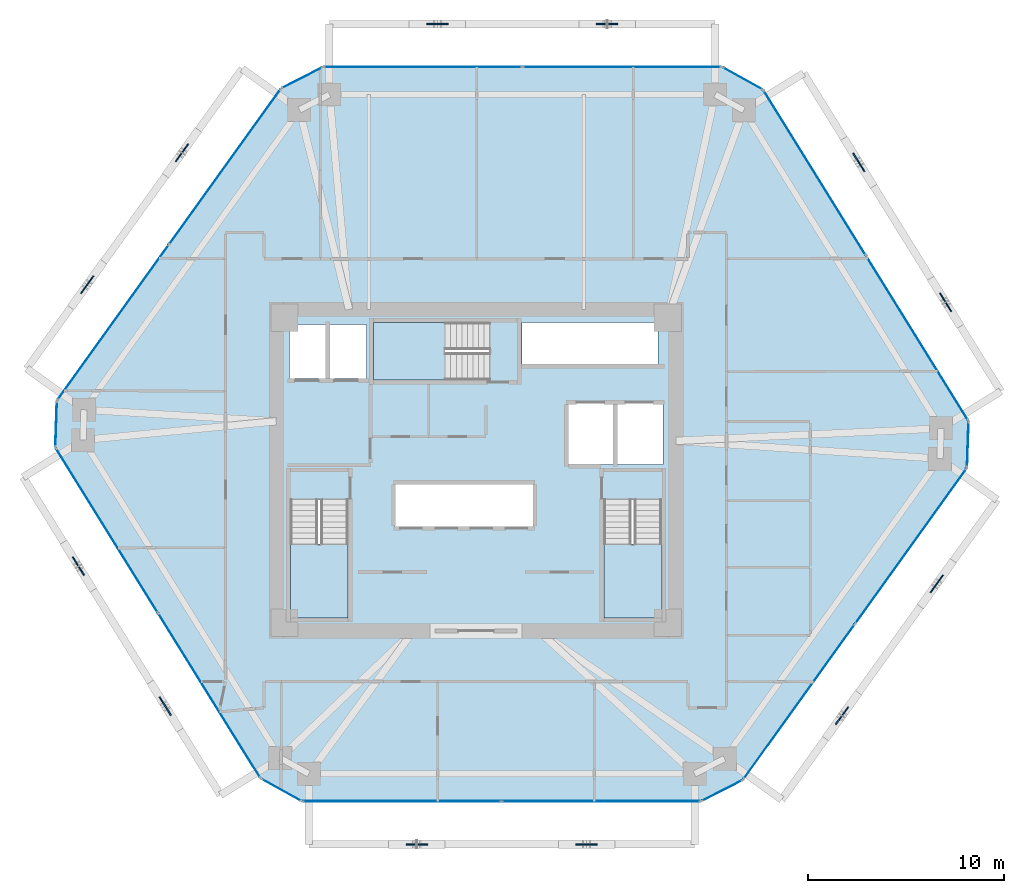
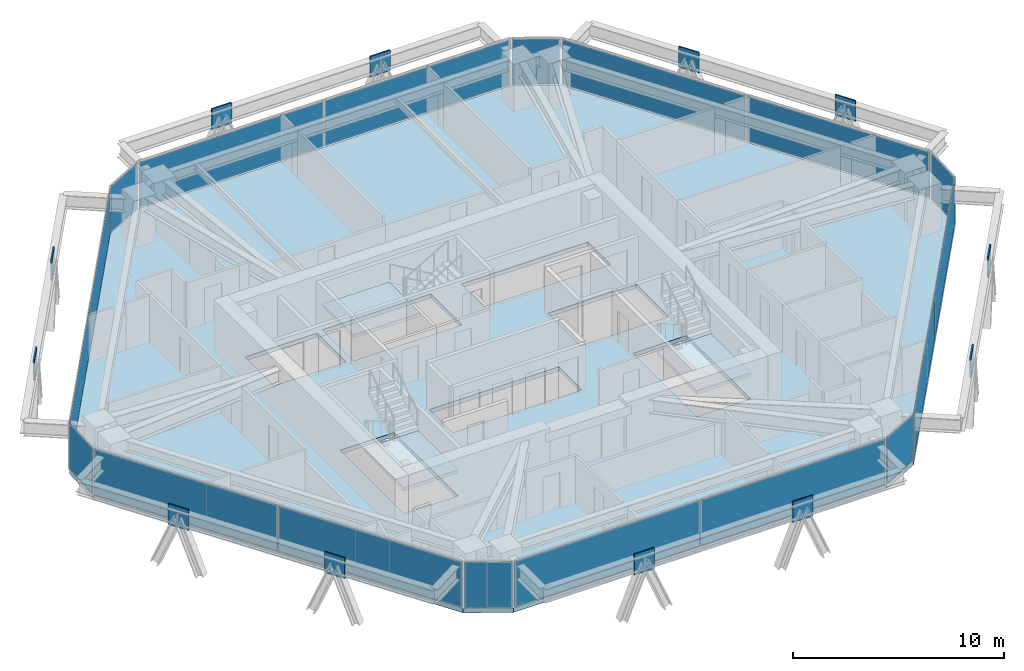
# One storey, part 9 of 17: 30 plates, 4 slabs, 15 elements without a shape of their own.
"""IFC4 building model written with IfcOpenShell, lengths in metres."""

from ifc_helpers import new_model, si_unit, direction, frame, origin, origin_2d, place, context, subcontext, project, spatial, polyline, rectangle, outline, extrude, source, transform, mapped, material, layer, layer_set, type_object, type_shapes, element, aggregate, save


model = new_model("IFC4")

# Units and contexts
model_context = context("Model", 3, precision=1e-05, world=origin(), true_north=direction((0.0, 1.0)))
body_context = subcontext(model_context, "Body", "Model", "MODEL_VIEW")
ifc_project = project(units=[si_unit("LENGTHUNIT", "METRE"), si_unit("AREAUNIT", "SQUARE_METRE"), si_unit("VOLUMEUNIT", "CUBIC_METRE"), si_unit("PLANEANGLEUNIT", "RADIAN"), si_unit("MASSUNIT", "GRAM", prefix="KILO")], contexts=[model_context])

# Site, building, storey
site_placement = place(None, origin())
site = spatial("IfcSite", under=ifc_project, at=site_placement, CompositionType="ELEMENT")
building_placement = place(site_placement, origin())
building = spatial("IfcBuilding", under=site, at=building_placement, Name="Durnholm Broadcast Tower", CompositionType="ELEMENT")
storey_placement = place(building_placement, frame((0.0, 0.0, 143.10009765625)))
storey = spatial("IfcBuildingStorey", under=building, at=storey_placement, Name="L39", CompositionType="ELEMENT", Elevation=143.10009765625)

# Slab
ifc_material_1 = material(Name="Concrete C50/60", Category="concrete")
ifc_layer_1 = layer(ifc_material_1, 0.239990234375)
ifc_layer_set_1 = layer_set([ifc_layer_1], Name="Concrete C50/60")
slab_type_1 = type_object("IfcSlabType", Name="SLAB-FLR-240", PredefinedType="FLOOR", material=ifc_layer_set_1)
slab_1_placement = place(storey_placement, frame((0.0, 0.0, -0.239990234375)))
element("IfcSlab", 1, at=slab_1_placement, inside=storey, type_object=slab_type_1, Name="L39 structural floor slab", PredefinedType="FLOOR", context=body_context, shape_type="SweptSolid", body=[
    extrude(outline(polyline([(-11.012451171875, -15.77001953125), (-8.915283203125, -16.93701171875), (11.51416015625, -16.93701171875), (13.649658203125, -15.841796875), (25.11279296875, 0.114990234375), (25.1943359375, 2.513671875), (14.6904296875, 19.447998046875), (12.59326171875, 20.614990234375), (-7.836181640625, 20.614990234375), (-9.9716796875, 19.519775390625), (-21.434814453125, 3.56298828125), (-21.516357421875, 1.164306640625), (-11.012451171875, -15.77001953125)]), holes=[polyline([(-6.5400390625, -1.5), (-9.5, -1.5), (-9.5, -7.550048828125), (-6.5400390625, -7.550048828125), (-6.5400390625, -1.5)]), polyline([(9.5, -7.550048828125), (9.5, -1.5), (6.5400390625, -1.5), (6.5400390625, -7.550048828125), (9.5, -7.550048828125)]), polyline([(2.949951171875, -0.699951171875), (-4.14990234375, -0.699951171875), (-4.14990234375, -2.89990234375), (2.949951171875, -2.89990234375), (2.949951171875, -0.699951171875)]), polyline([(9.550048828125, 3.39990234375), (4.699951171875, 3.39990234375), (4.699951171875, 0.300048828125), (9.550048828125, 0.300048828125), (9.550048828125, 3.39990234375)]), polyline([(-5.60009765625, 7.449951171875), (-9.550048828125, 7.449951171875), (-9.550048828125, 4.699951171875), (-5.60009765625, 4.699951171875), (-5.60009765625, 7.449951171875)]), polyline([(-5.25, 4.60009765625), (0.699951171875, 4.60009765625), (0.699951171875, 7.56005859375), (-5.25, 7.56005859375), (-5.25, 4.60009765625)]), polyline([(9.31005859375, 7.550048828125), (2.35009765625, 7.550048828125), (2.35009765625, 5.39990234375), (9.31005859375, 5.39990234375), (9.31005859375, 7.550048828125)])]), origin(), (0.0, 0.0, 1.0), 0.239990234375),
])

# Stair, slab
stair_type = type_object("IfcStairType", Name="STAIR-DL-18R1667", PredefinedType="HALF_TURN_STAIR", material=ifc_material_1)
stair_1_placement = place(storey_placement, origin())
stair_1 = element("IfcStair", 2, at=stair_1_placement, inside=storey, type_object=stair_type, Name="L39 ST-1", PredefinedType="HALF_TURN_STAIR")
ifc_layer_2 = layer(ifc_material_1, 0.199951171875)
ifc_layer_set_2 = layer_set([ifc_layer_2], Name="Concrete C50/60")
slab_type_2 = type_object("IfcSlabType", Name="SLAB-LND-200", PredefinedType="LANDING", material=ifc_layer_set_2)
slab_2_placement = place(storey_placement, frame((0.0, 0.0, 1.2998046875)))
slab_2 = element("IfcSlab", 3, at=slab_2_placement, type_object=slab_type_2, Name="ST-1 landing 1", PredefinedType="LANDING", context=body_context, shape_type="SweptSolid", body=[
    extrude(outline(polyline([(-9.5, -3.780029296875), (-9.5, -7.550048828125), (-6.5400390625, -7.550048828125), (-6.5400390625, -3.780029296875), (-9.5, -3.780029296875)])), origin(), (0.0, 0.0, 1.0), 0.2001953125),
])
aggregate(stair_1, [slab_2])

stair_2_placement = place(storey_placement, origin())
stair_2 = element("IfcStair", 4, at=stair_2_placement, inside=storey, type_object=stair_type, Name="L39 ST-2", PredefinedType="HALF_TURN_STAIR")
slab_3_placement = place(storey_placement, frame((0.0, 0.0, 1.2998046875)))
slab_3 = element("IfcSlab", 5, at=slab_3_placement, type_object=slab_type_2, Name="ST-2 landing 1", PredefinedType="LANDING", context=body_context, shape_type="SweptSolid", body=[
    extrude(outline(polyline([(6.5400390625, -3.780029296875), (6.5400390625, -7.550048828125), (9.5, -7.550048828125), (9.5, -3.780029296875), (6.5400390625, -3.780029296875)])), origin(), (0.0, 0.0, 1.0), 0.2001953125),
])
aggregate(stair_2, [slab_3])

stair_3_placement = place(storey_placement, origin())
stair_3 = element("IfcStair", 6, at=stair_3_placement, inside=storey, type_object=stair_type, Name="L39 ST-3", PredefinedType="HALF_TURN_STAIR")
slab_4_placement = place(storey_placement, frame((0.0, 0.0, 1.2998046875)))
slab_4 = element("IfcSlab", 7, at=slab_4_placement, type_object=slab_type_2, Name="ST-3 landing 1", PredefinedType="LANDING", context=body_context, shape_type="SweptSolid", body=[
    extrude(outline(polyline([(-1.580078125, 7.56005859375), (-5.25, 7.56005859375), (-5.25, 4.60009765625), (-1.580078125, 4.60009765625), (-1.580078125, 7.56005859375)])), origin(), (0.0, 0.0, 1.0), 0.2001953125),
])
aggregate(stair_3, [slab_4])

# Plates
ifc_material_2 = material(Name="Steel ASTM A572 Grade 50", Category="steel")
ifc_layer_3 = layer(ifc_material_2, 0.070068359375)
ifc_layer_set_3 = layer_set([ifc_layer_3], Name="Steel ASTM A572 Grade 50")
plate_type_1 = type_object("IfcPlateType", Name="PLT-KN05-GUS", PredefinedType="USERDEFINED", material=ifc_layer_set_3)
shared_shape_1 = source(origin(), body_context, "Body", "SweptSolid", [
    extrude(rectangle(XDim=1.10009765625, YDim=0.070068359375, at=origin_2d()), origin(), (0.0, 0.0, 1.0), 1.199951171875),
])
type_shapes(plate_type_1, [shared_shape_1])
for number, where, z_axis, x_axis, name in (
    (8, (-3.028076171875, -19.136962890625, 1.40869140625), (0.0, 0.0, 1.0), (1.0, 0.0, 0.0), "L39 welded diagrid node gusset plate KN05 F1"),
    (9, (5.65234375, -19.136962890625, 1.40869140625), (0.0, 0.0, 1.0), (1.0, 0.0, 0.0), "L39 welded diagrid node gusset plate KN05 F1"),
    (10, (18.71875, -12.556396484375, 1.40869140625), (0.0, 0.0, 1.0), (0.583399467156, 0.812185361677, 0.0), "L39 welded diagrid node gusset plate KN05 F2"),
    (11, (23.56689453125, -5.807861328125, 1.40869140625), (0.0, 0.0, 1.0), (0.583399467156, 0.812185361677, 0.0), "L39 welded diagrid node gusset plate KN05 F2"),
    (12, (24.01513671875, 8.58837890625, 1.40869140625), (0.0, 0.0, 1.0), (-0.527104121728, 0.849800708906, 0.0), "L39 welded diagrid node gusset plate KN05 F3"),
    (13, (19.576416015625, 15.74462890625, 1.40869140625), (0.0, 0.0, 1.0), (-0.527104121728, 0.849800708906, 0.0), "L39 welded diagrid node gusset plate KN05 F3"),
    (14, (6.7060546875, 22.81494140625, 1.40869140625), (0.0, 0.0, 1.0), (-1.0, 0.0, 0.0), "L39 welded diagrid node gusset plate KN05 F4"),
    (15, (-1.974365234375, 22.81494140625, 1.40869140625), (0.0, 0.0, 1.0), (-1.0, 0.0, 0.0), "L39 welded diagrid node gusset plate KN05 F4"),
    (16, (-15.040771484375, 16.234375, 1.40869140625), (0.0, 0.0, 1.0), (-0.583399467156, -0.812185361677, 0.0), "L39 welded diagrid node gusset plate KN05 F5"),
    (17, (-19.888916015625, 9.48583984375, 1.40869140625), (0.0, 0.0, 1.0), (-0.583399467156, -0.812185361677, 0.0), "L39 welded diagrid node gusset plate KN05 F5"),
    (18, (-20.337158203125, -4.910400390625, 1.40869140625), (0.0, 0.0, 1.0), (0.527104121728, -0.849800708906, 0.0), "L39 welded diagrid node gusset plate KN05 F6"),
    (19, (-15.898193359375, -12.066650390625, 1.40869140625), (0.0, 0.0, 1.0), (0.527104121728, -0.849800708906, 0.0), "L39 welded diagrid node gusset plate KN05 F6"),
):
    element("IfcPlate", number, at=place(storey_placement, frame(where, z_axis=z_axis, x_axis=x_axis)), inside=storey, type_object=plate_type_1, Name=name, ObjectType="GUSSET_PLATE", PredefinedType="USERDEFINED", context=body_context, shape_type="MappedRepresentation", body=[
        mapped(shared_shape_1, transform((0.0, 0.0, 0.0), x_axis=(1.0, 0.0, 0.0), y_axis=(0.0, 1.0, 0.0), z_axis=(0.0, 0.0, 1.0), scale=1.0)),
    ])

# Curtain wall, plate
ifc_material_3 = material(Name="Aluminium and Solar Control IGU", Category="aluminium")
ifc_layer_4 = layer(ifc_material_3, 0.1650390625)
ifc_layer_set_4 = layer_set([ifc_layer_4], Name="Aluminium and Solar Control IGU")
curtain_wall_type_1 = type_object("IfcCurtainWallType", Name="CW-SYS-5", PredefinedType="NOTDEFINED", material=ifc_layer_set_4)
curtain_wall_1_placement = place(storey_placement, origin())
curtain_wall_1 = element("IfcCurtainWall", 20, at=curtain_wall_1_placement, inside=storey, type_object=curtain_wall_type_1, Name="L39 curtain wall CW-CORNER CW-L39-CRN-01", PredefinedType="NOTDEFINED")
ifc_material_4 = material(Name="Low-E Laminated Insulating Glass", Category="glass")
ifc_layer_5 = layer(ifc_material_4, 0.030029296875)
ifc_layer_set_5 = layer_set([ifc_layer_5], Name="Low-E Laminated Insulating Glass")
plate_type_2 = type_object("IfcPlateType", Name="CW-SYS-5-PNL", PredefinedType="CURTAIN_PANEL", material=ifc_layer_set_5)
shared_shape_2 = source(origin(), body_context, "Body", "SweptSolid", [
    extrude(rectangle(XDim=2.27001953125, YDim=0.030029296875, at=origin_2d()), origin(), (0.0, 0.0, 1.0), 2.6298828125),
])
type_shapes(plate_type_2, [shared_shape_2])
plate_1_placement = place(storey_placement, frame((-21.4755859375, 2.36376953125, 0.06494140625), z_axis=(0.0, 0.0, 1.0), x_axis=(0.033916937775, 0.999424655155, 0.0)))
plate_1 = element("IfcPlate", 21, at=plate_1_placement, type_object=plate_type_2, Name="CW-CORNER panel 1.1", PredefinedType="CURTAIN_PANEL", context=body_context, shape_type="MappedRepresentation", body=[
    mapped(shared_shape_2, transform((0.0, 0.0, 0.0), x_axis=(1.0, 0.0, 0.0), y_axis=(0.0, 1.0, 0.0), z_axis=(0.0, 0.0, 1.0), scale=1.0)),
])
aggregate(curtain_wall_1, [plate_1])

curtain_wall_2_placement = place(storey_placement, origin())
curtain_wall_2 = element("IfcCurtainWall", 22, at=curtain_wall_2_placement, inside=storey, type_object=curtain_wall_type_1, Name="L39 curtain wall CW-CORNER CW-L39-CRN-03", PredefinedType="NOTDEFINED")
plate_2_placement = place(storey_placement, frame((-8.904052734375, 20.0673828125, 0.06494140625), z_axis=(0.0, 0.0, 1.0), x_axis=(0.889788396392, 0.45637332267, 0.0)))
plate_2 = element("IfcPlate", 23, at=plate_2_placement, type_object=plate_type_2, Name="CW-CORNER panel 1.1", PredefinedType="CURTAIN_PANEL", context=body_context, shape_type="MappedRepresentation", body=[
    mapped(shared_shape_2, transform((0.0, 0.0, 0.0), x_axis=(1.0, 0.0, 0.0), y_axis=(0.0, 1.0, 0.0), z_axis=(0.0, 0.0, 1.0), scale=1.0)),
])
aggregate(curtain_wall_2, [plate_2])

curtain_wall_3_placement = place(storey_placement, origin())
curtain_wall_3 = element("IfcCurtainWall", 24, at=curtain_wall_3_placement, inside=storey, type_object=curtain_wall_type_1, Name="L39 curtain wall CW-CORNER CW-L39-CRN-05", PredefinedType="NOTDEFINED")
plate_3_placement = place(storey_placement, frame((13.641845703125, 20.031494140625, 0.06494140625), z_axis=(0.0, 0.0, 1.0), x_axis=(0.873822953715, -0.486244224192, 0.0)))
plate_3 = element("IfcPlate", 25, at=plate_3_placement, type_object=plate_type_2, Name="CW-CORNER panel 1.1", PredefinedType="CURTAIN_PANEL", context=body_context, shape_type="MappedRepresentation", body=[
    mapped(shared_shape_2, transform((0.0, 0.0, 0.0), x_axis=(1.0, 0.0, 0.0), y_axis=(0.0, 1.0, 0.0), z_axis=(0.0, 0.0, 1.0), scale=1.0)),
])
aggregate(curtain_wall_3, [plate_3])

curtain_wall_4_placement = place(storey_placement, origin())
curtain_wall_4 = element("IfcCurtainWall", 26, at=curtain_wall_4_placement, inside=storey, type_object=curtain_wall_type_1, Name="L39 curtain wall CW-CORNER CW-L39-CRN-07", PredefinedType="NOTDEFINED")
plate_4_placement = place(storey_placement, frame((25.153564453125, 1.314208984375, 0.06494140625), z_axis=(0.0, 0.0, 1.0), x_axis=(-0.033916937775, -0.999424655155, 0.0)))
plate_4 = element("IfcPlate", 27, at=plate_4_placement, type_object=plate_type_2, Name="CW-CORNER panel 1.1", PredefinedType="CURTAIN_PANEL", context=body_context, shape_type="MappedRepresentation", body=[
    mapped(shared_shape_2, transform((0.0, 0.0, 0.0), x_axis=(1.0, 0.0, 0.0), y_axis=(0.0, 1.0, 0.0), z_axis=(0.0, 0.0, 1.0), scale=1.0)),
])
aggregate(curtain_wall_4, [plate_4])

curtain_wall_5_placement = place(storey_placement, origin())
curtain_wall_5 = element("IfcCurtainWall", 28, at=curtain_wall_5_placement, inside=storey, type_object=curtain_wall_type_1, Name="L39 curtain wall CW-CORNER CW-L39-CRN-09", PredefinedType="NOTDEFINED")
plate_5_placement = place(storey_placement, frame((12.58203125, -16.389404296875, 0.06494140625), z_axis=(0.0, 0.0, 1.0), x_axis=(-0.889788396392, -0.45637332267, 0.0)))
plate_5 = element("IfcPlate", 29, at=plate_5_placement, type_object=plate_type_2, Name="CW-CORNER panel 1.1", PredefinedType="CURTAIN_PANEL", context=body_context, shape_type="MappedRepresentation", body=[
    mapped(shared_shape_2, transform((0.0, 0.0, 0.0), x_axis=(1.0, 0.0, 0.0), y_axis=(0.0, 1.0, 0.0), z_axis=(0.0, 0.0, 1.0), scale=1.0)),
])
aggregate(curtain_wall_5, [plate_5])

curtain_wall_6_placement = place(storey_placement, origin())
curtain_wall_6 = element("IfcCurtainWall", 30, at=curtain_wall_6_placement, inside=storey, type_object=curtain_wall_type_1, Name="L39 curtain wall CW-CORNER CW-L39-CRN-11", PredefinedType="NOTDEFINED")
plate_6_placement = place(storey_placement, frame((-9.9638671875, -16.353515625, 0.06494140625), z_axis=(0.0, 0.0, 1.0), x_axis=(-0.873822953715, 0.486244224192, 0.0)))
plate_6 = element("IfcPlate", 31, at=plate_6_placement, type_object=plate_type_2, Name="CW-CORNER panel 1.1", PredefinedType="CURTAIN_PANEL", context=body_context, shape_type="MappedRepresentation", body=[
    mapped(shared_shape_2, transform((0.0, 0.0, 0.0), x_axis=(1.0, 0.0, 0.0), y_axis=(0.0, 1.0, 0.0), z_axis=(0.0, 0.0, 1.0), scale=1.0)),
])
aggregate(curtain_wall_6, [plate_6])

# Curtain wall, plates
ifc_layer_6 = layer(ifc_material_3, 0.18994140625)
ifc_layer_set_6 = layer_set([ifc_layer_6], Name="Aluminium and Solar Control IGU")
curtain_wall_type_2 = type_object("IfcCurtainWallType", Name="CW-SYS-3", PredefinedType="NOTDEFINED", material=ifc_layer_set_6)
curtain_wall_7_placement = place(storey_placement, origin())
curtain_wall_7 = element("IfcCurtainWall", 32, at=curtain_wall_7_placement, inside=storey, type_object=curtain_wall_type_2, Name="L39 curtain wall CW-Z12-VIS CW-L39-F02", PredefinedType="NOTDEFINED")
ifc_layer_7 = layer(ifc_material_4, 0.031982421875)
ifc_layer_set_7 = layer_set([ifc_layer_7], Name="Low-E Laminated Insulating Glass")
plate_type_3 = type_object("IfcPlateType", Name="CW-SYS-3-PNL", PredefinedType="CURTAIN_PANEL", material=ifc_layer_set_7)
shared_shape_3 = source(origin(), body_context, "Body", "SweptSolid", [
    extrude(rectangle(XDim=9.71875, YDim=0.031982421875, at=origin_2d()), origin(), (0.0, 0.0, 1.0), 2.6201171875),
])
plate_7_placement = place(storey_placement, frame((-18.558837890625, 7.56640625, 0.06982421875), z_axis=(0.0, 0.0, 1.0), x_axis=(0.583445473786, 0.812152312759, 0.0)))
plate_7 = element("IfcPlate", 33, at=plate_7_placement, type_object=plate_type_3, Name="CW-Z12-VIS panel 1.1", PredefinedType="CURTAIN_PANEL", context=body_context, shape_type="MappedRepresentation", body=[
    mapped(shared_shape_3, transform((0.0, 0.0, 0.0), x_axis=(1.0, 0.0, 0.0), y_axis=(0.0, 1.0, 0.0), z_axis=(0.0, 0.0, 1.0), scale=1.0)),
])
plate_8_placement = place(storey_placement, frame((-12.84765625, 15.516357421875, 0.06982421875), z_axis=(0.0, 0.0, 1.0), x_axis=(0.583445473786, 0.812152312759, 0.0)))
plate_8 = element("IfcPlate", 34, at=plate_8_placement, type_object=plate_type_3, Name="CW-Z12-VIS panel 2.1", PredefinedType="CURTAIN_PANEL", context=body_context, shape_type="MappedRepresentation", body=[
    mapped(shared_shape_3, transform((0.0, 0.0, 0.0), x_axis=(1.0, 0.0, 0.0), y_axis=(0.0, 1.0, 0.0), z_axis=(0.0, 0.0, 1.0), scale=1.0)),
])
aggregate(curtain_wall_7, [plate_7, plate_8])

curtain_wall_8_placement = place(storey_placement, origin())
curtain_wall_8 = element("IfcCurtainWall", 35, at=curtain_wall_8_placement, inside=storey, type_object=curtain_wall_type_2, Name="L39 curtain wall CW-Z12-VIS CW-L39-F08", PredefinedType="NOTDEFINED")
plate_9_placement = place(storey_placement, frame((22.23681640625, -3.888427734375, 0.06982421875), z_axis=(0.0, 0.0, 1.0), x_axis=(-0.583445473786, -0.812152312759, 0.0)))
plate_9 = element("IfcPlate", 36, at=plate_9_placement, type_object=plate_type_3, Name="CW-Z12-VIS panel 1.1", PredefinedType="CURTAIN_PANEL", context=body_context, shape_type="MappedRepresentation", body=[
    mapped(shared_shape_3, transform((0.0, 0.0, 0.0), x_axis=(1.0, 0.0, 0.0), y_axis=(0.0, 1.0, 0.0), z_axis=(0.0, 0.0, 1.0), scale=1.0)),
])
plate_10_placement = place(storey_placement, frame((16.525634765625, -11.83837890625, 0.06982421875), z_axis=(0.0, 0.0, 1.0), x_axis=(-0.583445473786, -0.812152312759, 0.0)))
plate_10 = element("IfcPlate", 37, at=plate_10_placement, type_object=plate_type_3, Name="CW-Z12-VIS panel 2.1", PredefinedType="CURTAIN_PANEL", context=body_context, shape_type="MappedRepresentation", body=[
    mapped(shared_shape_3, transform((0.0, 0.0, 0.0), x_axis=(1.0, 0.0, 0.0), y_axis=(0.0, 1.0, 0.0), z_axis=(0.0, 0.0, 1.0), scale=1.0)),
])
aggregate(curtain_wall_8, [plate_9, plate_10])

curtain_wall_9_placement = place(storey_placement, origin())
curtain_wall_9 = element("IfcCurtainWall", 38, at=curtain_wall_9_placement, inside=storey, type_object=curtain_wall_type_2, Name="L39 curtain wall CW-Z12-VIS CW-L39-F04", PredefinedType="NOTDEFINED")
shared_shape_4 = source(origin(), body_context, "Body", "SweptSolid", [
    extrude(rectangle(XDim=10.109619140625, YDim=0.031982421875, at=origin_2d()), origin(), (0.0, 0.0, 1.0), 2.6201171875),
])
plate_11_placement = place(storey_placement, frame((-2.71142578125, 20.614990234375, 0.06982421875), z_axis=(0.0, 0.0, 1.0), x_axis=(1.0, 0.0, 0.0)))
plate_11 = element("IfcPlate", 39, at=plate_11_placement, type_object=plate_type_3, Name="CW-Z12-VIS panel 1.1", PredefinedType="CURTAIN_PANEL", context=body_context, shape_type="MappedRepresentation", body=[
    mapped(shared_shape_4, transform((0.0, 0.0, 0.0), x_axis=(1.0, 0.0, 0.0), y_axis=(0.0, 1.0, 0.0), z_axis=(0.0, 0.0, 1.0), scale=1.0)),
])
plate_12_placement = place(storey_placement, frame((7.46826171875, 20.614990234375, 0.06982421875), z_axis=(0.0, 0.0, 1.0), x_axis=(1.0, 0.0, 0.0)))
plate_12 = element("IfcPlate", 40, at=plate_12_placement, type_object=plate_type_3, Name="CW-Z12-VIS panel 2.1", PredefinedType="CURTAIN_PANEL", context=body_context, shape_type="MappedRepresentation", body=[
    mapped(shared_shape_4, transform((0.0, 0.0, 0.0), x_axis=(1.0, 0.0, 0.0), y_axis=(0.0, 1.0, 0.0), z_axis=(0.0, 0.0, 1.0), scale=1.0)),
])
aggregate(curtain_wall_9, [plate_11, plate_12])

curtain_wall_10_placement = place(storey_placement, origin())
curtain_wall_10 = element("IfcCurtainWall", 41, at=curtain_wall_10_placement, inside=storey, type_object=curtain_wall_type_2, Name="L39 curtain wall CW-Z12-VIS CW-L39-F10", PredefinedType="NOTDEFINED")
plate_13_placement = place(storey_placement, frame((6.389404296875, -16.93701171875, 0.06982421875), z_axis=(0.0, 0.0, 1.0), x_axis=(-1.0, 0.0, 0.0)))
plate_13 = element("IfcPlate", 42, at=plate_13_placement, type_object=plate_type_3, Name="CW-Z12-VIS panel 1.1", PredefinedType="CURTAIN_PANEL", context=body_context, shape_type="MappedRepresentation", body=[
    mapped(shared_shape_4, transform((0.0, 0.0, 0.0), x_axis=(1.0, 0.0, 0.0), y_axis=(0.0, 1.0, 0.0), z_axis=(0.0, 0.0, 1.0), scale=1.0)),
])
plate_14_placement = place(storey_placement, frame((-3.790283203125, -16.93701171875, 0.06982421875), z_axis=(0.0, 0.0, 1.0), x_axis=(-1.0, 0.0, 0.0)))
plate_14 = element("IfcPlate", 43, at=plate_14_placement, type_object=plate_type_3, Name="CW-Z12-VIS panel 2.1", PredefinedType="CURTAIN_PANEL", context=body_context, shape_type="MappedRepresentation", body=[
    mapped(shared_shape_4, transform((0.0, 0.0, 0.0), x_axis=(1.0, 0.0, 0.0), y_axis=(0.0, 1.0, 0.0), z_axis=(0.0, 0.0, 1.0), scale=1.0)),
])
aggregate(curtain_wall_10, [plate_13, plate_14])

curtain_wall_11_placement = place(storey_placement, origin())
curtain_wall_11 = element("IfcCurtainWall", 44, at=curtain_wall_11_placement, inside=storey, type_object=curtain_wall_type_2, Name="L39 curtain wall CW-Z12-VIS CW-L39-F06", PredefinedType="NOTDEFINED")
shared_shape_5 = source(origin(), body_context, "Body", "SweptSolid", [
    extrude(rectangle(XDim=9.858642578125, YDim=0.031982421875, at=origin_2d()), origin(), (0.0, 0.0, 1.0), 2.6201171875),
])
type_shapes(plate_type_3, [shared_shape_3, shared_shape_4, shared_shape_5])
plate_15_placement = place(storey_placement, frame((17.32568359375, 15.199462890625, 0.06982421875), z_axis=(0.0, 0.0, 1.0), x_axis=(0.527105385176, -0.849799925229, 0.0)))
plate_15 = element("IfcPlate", 45, at=plate_15_placement, type_object=plate_type_3, Name="CW-Z12-VIS panel 1.1", PredefinedType="CURTAIN_PANEL", context=body_context, shape_type="MappedRepresentation", body=[
    mapped(shared_shape_5, transform((0.0, 0.0, 0.0), x_axis=(1.0, 0.0, 0.0), y_axis=(0.0, 1.0, 0.0), z_axis=(0.0, 0.0, 1.0), scale=1.0)),
])
plate_16_placement = place(storey_placement, frame((22.55908203125, 6.761962890625, 0.06982421875), z_axis=(0.0, 0.0, 1.0), x_axis=(0.527105385176, -0.849799925229, 0.0)))
plate_16 = element("IfcPlate", 46, at=plate_16_placement, type_object=plate_type_3, Name="CW-Z12-VIS panel 2.1", PredefinedType="CURTAIN_PANEL", context=body_context, shape_type="MappedRepresentation", body=[
    mapped(shared_shape_5, transform((0.0, 0.0, 0.0), x_axis=(1.0, 0.0, 0.0), y_axis=(0.0, 1.0, 0.0), z_axis=(0.0, 0.0, 1.0), scale=1.0)),
])
aggregate(curtain_wall_11, [plate_15, plate_16])

curtain_wall_12_placement = place(storey_placement, origin())
curtain_wall_12 = element("IfcCurtainWall", 47, at=curtain_wall_12_placement, inside=storey, type_object=curtain_wall_type_2, Name="L39 curtain wall CW-Z12-VIS CW-L39-F12", PredefinedType="NOTDEFINED")
plate_17_placement = place(storey_placement, frame((-13.647705078125, -11.521484375, 0.06982421875), z_axis=(0.0, 0.0, 1.0), x_axis=(-0.527105385176, 0.849799925229, 0.0)))
plate_17 = element("IfcPlate", 48, at=plate_17_placement, type_object=plate_type_3, Name="CW-Z12-VIS panel 1.1", PredefinedType="CURTAIN_PANEL", context=body_context, shape_type="MappedRepresentation", body=[
    mapped(shared_shape_5, transform((0.0, 0.0, 0.0), x_axis=(1.0, 0.0, 0.0), y_axis=(0.0, 1.0, 0.0), z_axis=(0.0, 0.0, 1.0), scale=1.0)),
])
plate_18_placement = place(storey_placement, frame((-18.881103515625, -3.083984375, 0.06982421875), z_axis=(0.0, 0.0, 1.0), x_axis=(-0.527105385176, 0.849799925229, 0.0)))
plate_18 = element("IfcPlate", 49, at=plate_18_placement, type_object=plate_type_3, Name="CW-Z12-VIS panel 2.1", PredefinedType="CURTAIN_PANEL", context=body_context, shape_type="MappedRepresentation", body=[
    mapped(shared_shape_5, transform((0.0, 0.0, 0.0), x_axis=(1.0, 0.0, 0.0), y_axis=(0.0, 1.0, 0.0), z_axis=(0.0, 0.0, 1.0), scale=1.0)),
])
aggregate(curtain_wall_12, [plate_17, plate_18])

save(model, "model.ifc")
